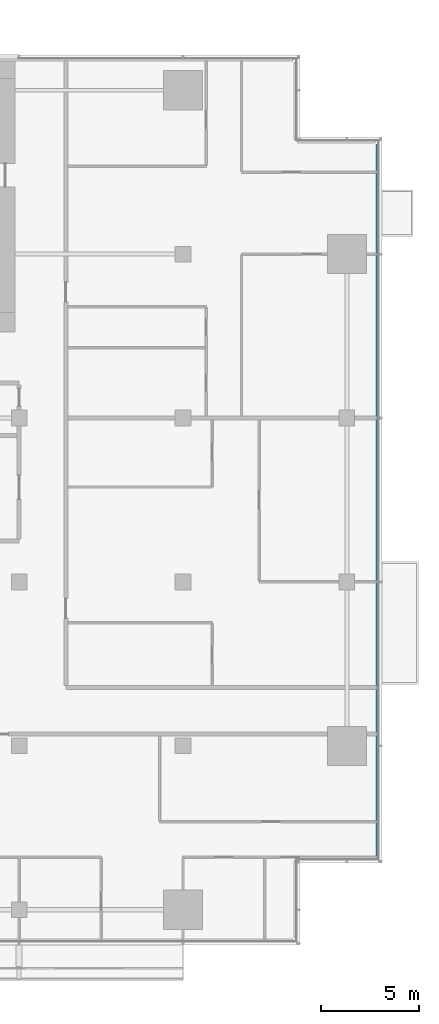
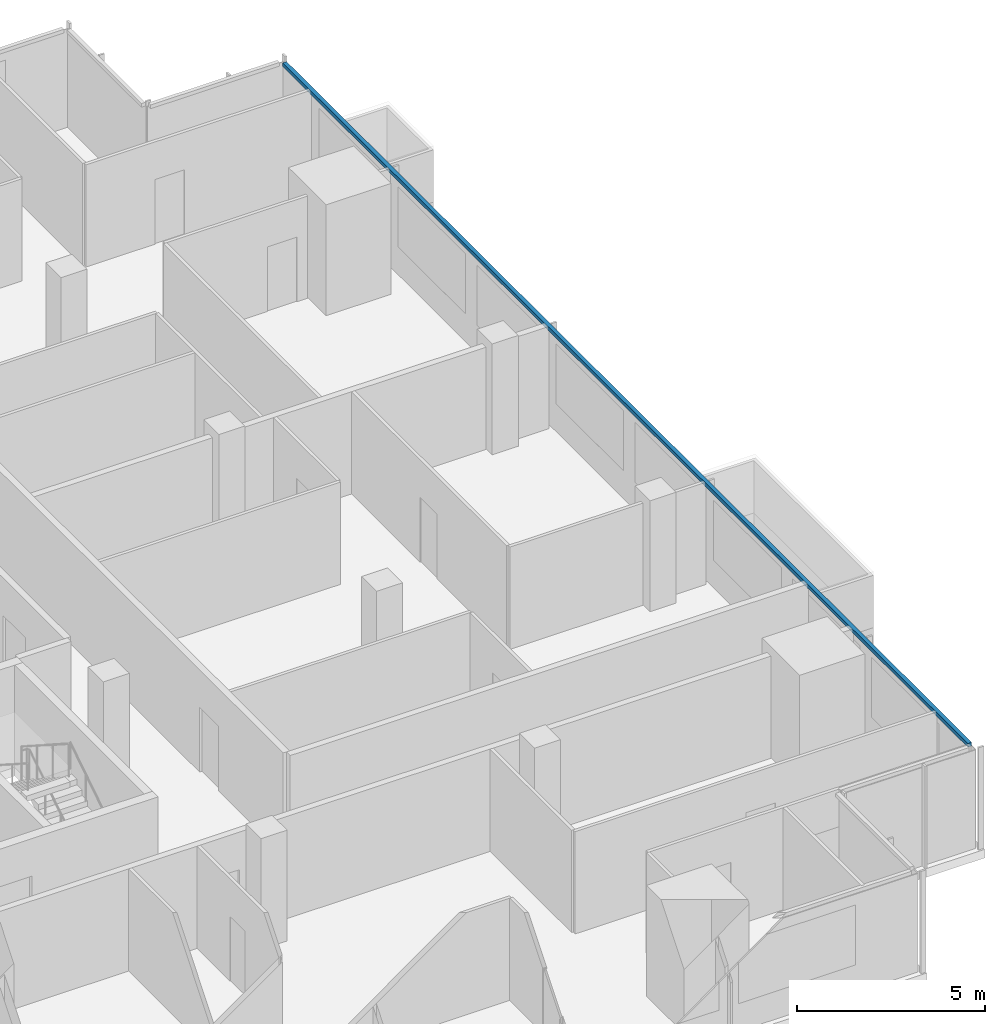
# One storey, part 12 of 27: 1 member, 1 element without a shape of its own.
"""IFC4 building model written with IfcOpenShell, lengths in metres."""

from ifc_helpers import new_model, si_unit, direction, frame, origin, origin_2d, place, context, subcontext, project, spatial, rectangle, extrude, material, material_profile, profile_set, type_object, element, aggregate, save


model = new_model("IFC4")

# Units and contexts
model_context = context("Model", 3, precision=1e-05, world=origin(), true_north=direction((0.0, 1.0)))
body_context = subcontext(model_context, "Body", "Model", "MODEL_VIEW")
ifc_project = project(units=[si_unit("LENGTHUNIT", "METRE"), si_unit("AREAUNIT", "SQUARE_METRE"), si_unit("VOLUMEUNIT", "CUBIC_METRE"), si_unit("PLANEANGLEUNIT", "RADIAN"), si_unit("MASSUNIT", "GRAM", prefix="KILO")], contexts=[model_context])

# Site, building, storey
site_placement = place(None, origin())
site = spatial("IfcSite", under=ifc_project, at=site_placement, CompositionType="ELEMENT")
building_placement = place(site_placement, origin())
building = spatial("IfcBuilding", under=site, at=building_placement, Name="Saffron Gate Tower", CompositionType="ELEMENT")
storey_placement = place(building_placement, frame((0.0, 0.0, 124.050048828125)))
storey = spatial("IfcBuildingStorey", under=building, at=storey_placement, Name="L29", CompositionType="ELEMENT", Elevation=124.050048828125)

# Curtain wall, member
ifc_material = material(Name="Aluminium, bronze anodised", Category="aluminium")
curtain_wall_type = type_object("IfcCurtainWallType", Name="CWS2 curtain wall side facades", PredefinedType="NOTDEFINED", material=ifc_material)
curtain_wall_placement = place(storey_placement, origin())
curtain_wall = element("IfcCurtainWall", 1, at=curtain_wall_placement, inside=storey, type_object=curtain_wall_type, Name="CWS2 run 4", PredefinedType="NOTDEFINED")
ifc_material_profile = material_profile(ifc_material, rectangle(XDim=0.1201171875, YDim=0.1201171875, at=origin_2d()))
ifc_profile_set = profile_set([ifc_material_profile], Name="Aluminium, bronze anodised")
member_type = type_object("IfcMemberType", Name="CWS2 head transom", PredefinedType="USERDEFINED", material=ifc_profile_set)
member_placement = place(storey_placement, frame((126.951904296875, 34.568115234375, 3.260009765625), z_axis=(0.0, 1.0, 0.0), x_axis=(-1.0, 0.0, 0.0)))
member = element("IfcMember", 2, at=member_placement, type_object=member_type, Name="CWS2 head transom", ObjectType="TRANSOM", PredefinedType="USERDEFINED", context=body_context, shape_type="SweptSolid", body=[
    extrude(rectangle(XDim=0.1201171875, YDim=0.1201171875, at=origin_2d()), origin(), (0.0, 0.0, 1.0), 36.4638671875),
])
aggregate(curtain_wall, [member])

save(model, "model.ifc")
